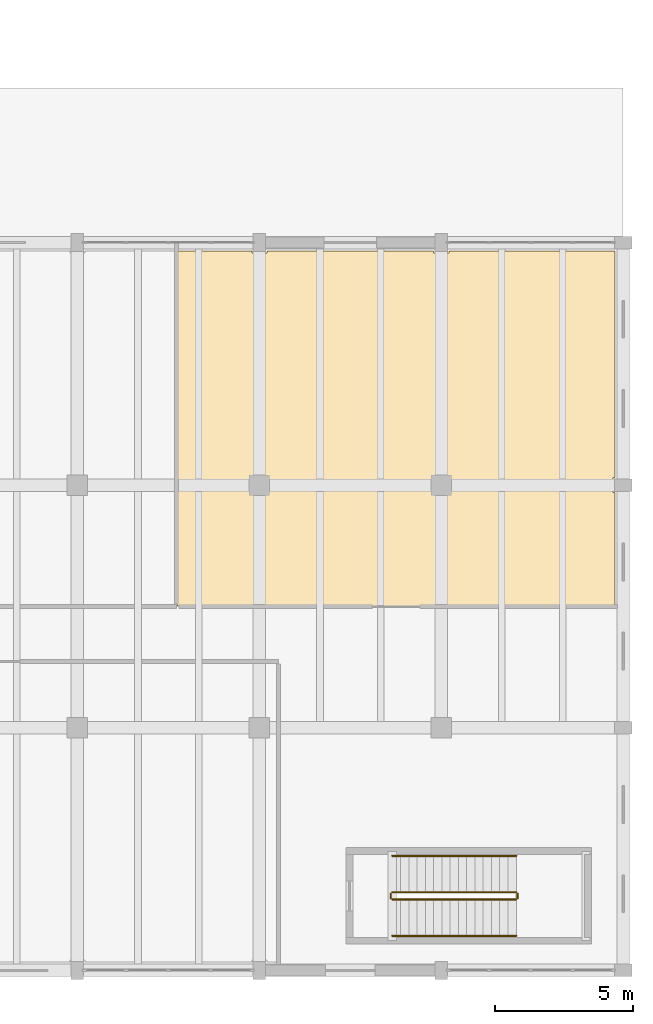
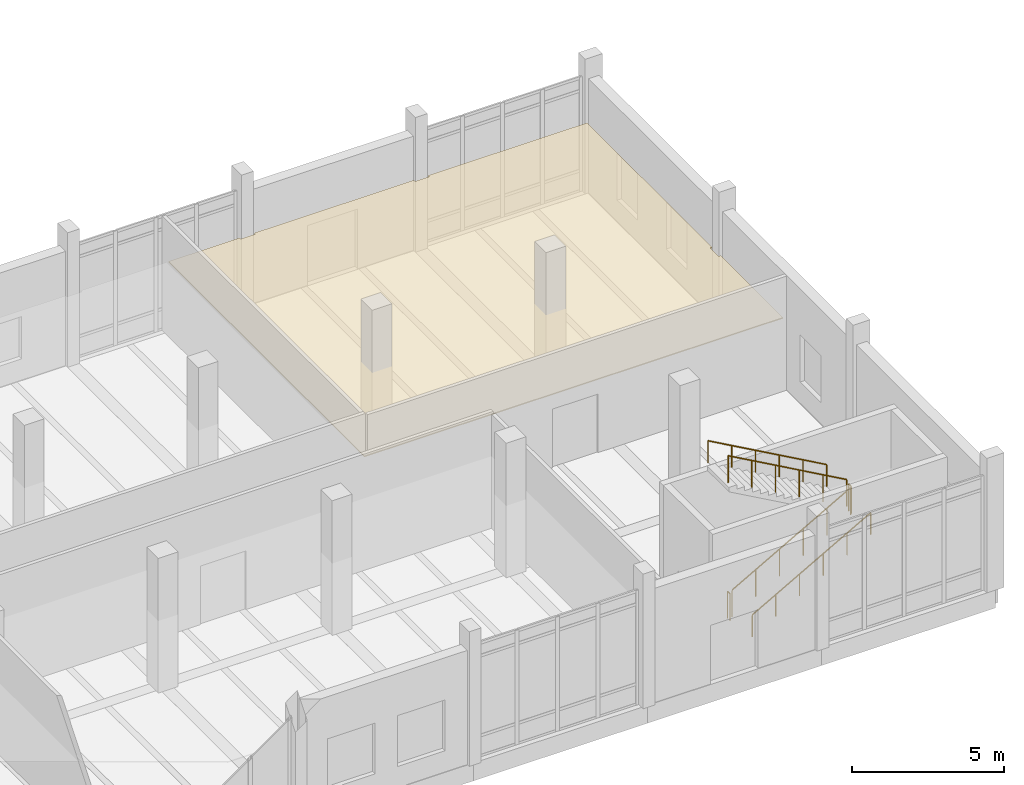
# One storey, part 69 of 72: 6 railings, 1 covering.
"""IFC4 building model written with IfcOpenShell, lengths in metres."""

from ifc_helpers import new_model, si_unit, direction, frame, origin, origin_2d, place, context, subcontext, project, spatial, polyline, circle, outline, extrude, material, layer, layer_set, type_object, element, save


model = new_model("IFC4")

# Units and contexts
model_context = context("Model", 3, precision=1e-05, world=origin(), true_north=direction((0.0, 1.0)))
body_context = subcontext(model_context, "Body", "Model", "MODEL_VIEW")
ifc_project = project(units=[si_unit("LENGTHUNIT", "METRE"), si_unit("AREAUNIT", "SQUARE_METRE"), si_unit("VOLUMEUNIT", "CUBIC_METRE"), si_unit("PLANEANGLEUNIT", "RADIAN"), si_unit("MASSUNIT", "GRAM", prefix="KILO")], contexts=[model_context])

# Site, building, storey
site_placement = place(None, origin())
site = spatial("IfcSite", under=ifc_project, at=site_placement, CompositionType="ELEMENT")
building_placement = place(site_placement, origin())
building = spatial("IfcBuilding", under=site, at=building_placement, Name="Dornvale Research Institute", CompositionType="ELEMENT")
storey_placement = place(building_placement, origin())
storey = spatial("IfcBuildingStorey", under=building, at=storey_placement, Name="L00", CompositionType="ELEMENT", Elevation=0.0)

# Covering
ifc_material_1 = material(Name="Flush Cleanroom Aluminum Walk-On HEPA Ceiling Grid", Category="aluminium")
ifc_layer_1 = layer(ifc_material_1, 0.0400390625)
ifc_layer_set_1 = layer_set([ifc_layer_1], Name="Flush Cleanroom Aluminum Walk-On HEPA Ceiling Grid")
covering_type = type_object("IfcCoveringType", Name="Covering_Cleanroom_HEPA_Ceiling", PredefinedType="CEILING", material=ifc_layer_set_1)
covering_placement = place(storey_placement, frame((0.0, 0.0, 2.85009765625)))
element("IfcCovering", 1, at=covering_placement, inside=storey, type_object=covering_type, Name="L00 Atomic Force Metrology Suite suspended ceiling", PredefinedType="CEILING", context=body_context, shape_type="SweptSolid", body=[
    extrude(outline(polyline([(171.875, 26.02490234375), (171.875, 26.10009765625), (177.89990234375, 26.10009765625), (177.89990234375, 17.875), (177.824951171875, 17.875), (177.824951171875, 17.324951171875), (177.89990234375, 17.324951171875), (177.89990234375, 13.219970703125), (162.02001953125, 13.219970703125), (162.02001953125, 26.10009765625), (164.72509765625, 26.10009765625), (164.72509765625, 26.02490234375), (165.27490234375, 26.02490234375), (165.27490234375, 26.10009765625), (171.324951171875, 26.10009765625), (171.324951171875, 26.02490234375), (171.875, 26.02490234375)])), origin(), (0.0, 0.0, 1.0), 0.039794921875),
])

# Railings
ifc_material_2 = material(Name="Galvanized Painted Tubular Steel Stair Rail", Category="steel")
ifc_layer_2 = layer(ifc_material_2, 0.050048828125)
ifc_layer_set_2 = layer_set([ifc_layer_2], Name="Galvanized Painted Tubular Steel Stair Rail")
railing_type_1 = type_object("IfcRailingType", Name="Railing_Stair_Guard_1100", PredefinedType="GUARDRAIL", material=ifc_layer_set_2)
railing_1_placement = place(storey_placement, frame((169.820068359375, 2.570068359375, 0.168701171875)))
element("IfcRailing", 2, at=railing_1_placement, inside=storey, type_object=railing_type_1, Name="L00 ST-6 stair guard 1", PredefinedType="GUARDRAIL", context=body_context, shape_type="SweptSolid", body=[
    extrude(circle(Radius=0.02392578125, at=origin_2d()), frame((0.0, 0.0, 1.076171875), z_axis=(0.871575537125, 0.0, 0.490261239633), x_axis=(0.0, 1.0, 0.0)), (0.0, 0.0, 1.0), 5.1630859375),
    extrude(circle(Radius=0.02099609375, at=origin_2d()), origin(), (0.0, 0.0, 1.0), 1.052001953125),
    extrude(circle(Radius=0.02099609375, at=origin_2d()), frame((0.89990234375, 0.0, 0.50634765625)), (0.0, 0.0, 1.0), 1.052001953125),
    extrude(circle(Radius=0.02099609375, at=origin_2d()), frame((1.800048828125, 0.0, 1.012451171875)), (0.0, 0.0, 1.0), 1.052001953125),
    extrude(circle(Radius=0.02099609375, at=origin_2d()), frame((2.699951171875, 0.0, 1.518798828125)), (0.0, 0.0, 1.0), 1.052001953125),
    extrude(circle(Radius=0.02099609375, at=origin_2d()), frame((3.60009765625, 0.0, 2.02490234375)), (0.0, 0.0, 1.0), 1.052001953125),
    extrude(circle(Radius=0.02099609375, at=origin_2d()), frame((4.5, 0.0, 2.53125)), (0.0, 0.0, 1.0), 1.052001953125),
])
railing_2_placement = place(storey_placement, frame((174.3701171875, 2.6201171875, 2.699951171875)))
element("IfcRailing", 3, at=railing_2_placement, inside=storey, type_object=railing_type_1, Name="L00 ST-6 stair guard 2", PredefinedType="GUARDRAIL", context=body_context, shape_type="SweptSolid", body=[
    extrude(circle(Radius=0.02392578125, at=origin_2d()), frame((0.0, 0.0, 1.076171875), z_axis=(0.0, 1.0, 0.0), x_axis=(-1.0, 0.0, 0.0)), (0.0, 0.0, 1.0), 0.159912109375),
    extrude(circle(Radius=0.02099609375, at=origin_2d()), origin(), (0.0, 0.0, 1.0), 1.052001953125),
    extrude(circle(Radius=0.02099609375, at=origin_2d()), frame((0.0, 0.159912109375, 0.0)), (0.0, 0.0, 1.0), 1.052001953125),
])
railing_3_placement = place(storey_placement, frame((174.320068359375, 2.830078125, 2.86865234375)))
element("IfcRailing", 4, at=railing_3_placement, inside=storey, type_object=railing_type_1, Name="L00 ST-6 stair guard 3", PredefinedType="GUARDRAIL", context=body_context, shape_type="SweptSolid", body=[
    extrude(circle(Radius=0.02392578125, at=origin_2d()), frame((0.0, 0.0, 1.076171875), z_axis=(-0.871575537125, 0.0, 0.490261239633), x_axis=(0.0, -1.0, 0.0)), (0.0, 0.0, 1.0), 5.1630859375),
    extrude(circle(Radius=0.02099609375, at=origin_2d()), origin(), (0.0, 0.0, 1.0), 1.052001953125),
    extrude(circle(Radius=0.02099609375, at=origin_2d()), frame((-0.89990234375, 0.0, 0.50634765625)), (0.0, 0.0, 1.0), 1.052001953125),
    extrude(circle(Radius=0.02099609375, at=origin_2d()), frame((-1.800048828125, 0.0, 1.012451171875)), (0.0, 0.0, 1.0), 1.052001953125),
    extrude(circle(Radius=0.02099609375, at=origin_2d()), frame((-2.699951171875, 0.0, 1.518798828125)), (0.0, 0.0, 1.0), 1.052001953125),
    extrude(circle(Radius=0.02099609375, at=origin_2d()), frame((-3.60009765625, 0.0, 2.02490234375)), (0.0, 0.0, 1.0), 1.052001953125),
    extrude(circle(Radius=0.02099609375, at=origin_2d()), frame((-4.5, 0.0, 2.53125)), (0.0, 0.0, 1.0), 1.052001953125),
])
railing_4_placement = place(storey_placement, frame((169.77001953125, 2.6201171875, 0.0)))
element("IfcRailing", 5, at=railing_4_placement, inside=storey, type_object=railing_type_1, Name="L00 ST-6 stair guard 4", PredefinedType="GUARDRAIL", context=body_context, shape_type="SweptSolid", body=[
    extrude(circle(Radius=0.02392578125, at=origin_2d()), frame((0.0, 0.0, 1.076171875), z_axis=(0.0, 1.0, 0.0), x_axis=(-1.0, 0.0, 0.0)), (0.0, 0.0, 1.0), 0.159912109375),
    extrude(circle(Radius=0.02099609375, at=origin_2d()), origin(), (0.0, 0.0, 1.0), 1.052001953125),
    extrude(circle(Radius=0.02099609375, at=origin_2d()), frame((0.0, 0.159912109375, 0.0)), (0.0, 0.0, 1.0), 1.052001953125),
])
ifc_material_3 = material(Name="Galvanized Painted Tubular Steel Stair Rail", Category="steel")
ifc_layer_3 = layer(ifc_material_3, 0.044921875)
ifc_layer_set_3 = layer_set([ifc_layer_3], Name="Galvanized Painted Tubular Steel Stair Rail")
railing_type_2 = type_object("IfcRailingType", Name="Railing_Stair_Handrail_900", PredefinedType="HANDRAIL", material=ifc_layer_set_3)
railing_5_placement = place(storey_placement, frame((169.820068359375, 1.25, 0.168701171875)))
element("IfcRailing", 6, at=railing_5_placement, inside=storey, type_object=railing_type_2, Name="L00 ST-6 stair handrail 1", PredefinedType="HANDRAIL", context=body_context, shape_type="SweptSolid", body=[
    extrude(circle(Radius=0.02392578125, at=origin_2d()), frame((0.0, 0.0, 0.8759765625), z_axis=(0.871575537125, 0.0, 0.490261239633), x_axis=(0.0, 1.0, 0.0)), (0.0, 0.0, 1.0), 5.1630859375),
    extrude(circle(Radius=0.02099609375, at=origin_2d()), origin(), (0.0, 0.0, 1.0), 0.851806640625),
    extrude(circle(Radius=0.02099609375, at=origin_2d()), frame((0.89990234375, 0.0, 0.50634765625)), (0.0, 0.0, 1.0), 0.851806640625),
    extrude(circle(Radius=0.02099609375, at=origin_2d()), frame((1.800048828125, 0.0, 1.012451171875)), (0.0, 0.0, 1.0), 0.851806640625),
    extrude(circle(Radius=0.02099609375, at=origin_2d()), frame((2.699951171875, 0.0, 1.518798828125)), (0.0, 0.0, 1.0), 0.851806640625),
    extrude(circle(Radius=0.02099609375, at=origin_2d()), frame((3.60009765625, 0.0, 2.02490234375)), (0.0, 0.0, 1.0), 0.851806640625),
    extrude(circle(Radius=0.02099609375, at=origin_2d()), frame((4.5, 0.0, 2.53125)), (0.0, 0.0, 1.0), 0.851806640625),
])
railing_6_placement = place(storey_placement, frame((174.320068359375, 4.14990234375, 2.86865234375)))
element("IfcRailing", 7, at=railing_6_placement, inside=storey, type_object=railing_type_2, Name="L00 ST-6 stair handrail 2", PredefinedType="HANDRAIL", context=body_context, shape_type="SweptSolid", body=[
    extrude(circle(Radius=0.02392578125, at=origin_2d()), frame((0.0, 0.0, 0.8759765625), z_axis=(-0.871575537125, 0.0, 0.490261239633), x_axis=(0.0, -1.0, 0.0)), (0.0, 0.0, 1.0), 5.1630859375),
    extrude(circle(Radius=0.02099609375, at=origin_2d()), origin(), (0.0, 0.0, 1.0), 0.851806640625),
    extrude(circle(Radius=0.02099609375, at=origin_2d()), frame((-0.89990234375, 0.0, 0.50634765625)), (0.0, 0.0, 1.0), 0.851806640625),
    extrude(circle(Radius=0.02099609375, at=origin_2d()), frame((-1.800048828125, 0.0, 1.012451171875)), (0.0, 0.0, 1.0), 0.851806640625),
    extrude(circle(Radius=0.02099609375, at=origin_2d()), frame((-2.699951171875, 0.0, 1.518798828125)), (0.0, 0.0, 1.0), 0.851806640625),
    extrude(circle(Radius=0.02099609375, at=origin_2d()), frame((-3.60009765625, 0.0, 2.02490234375)), (0.0, 0.0, 1.0), 0.851806640625),
    extrude(circle(Radius=0.02099609375, at=origin_2d()), frame((-4.5, 0.0, 2.53125)), (0.0, 0.0, 1.0), 0.851806640625),
])

save(model, "model.ifc")
